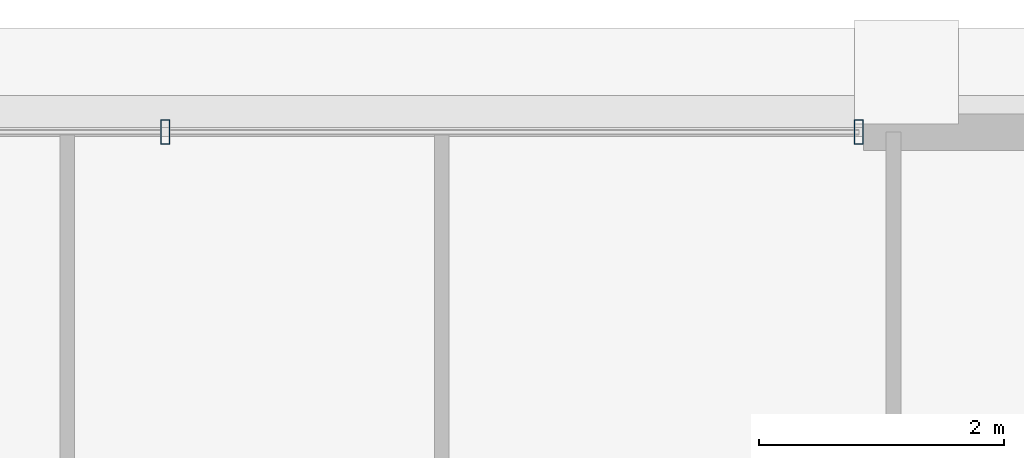
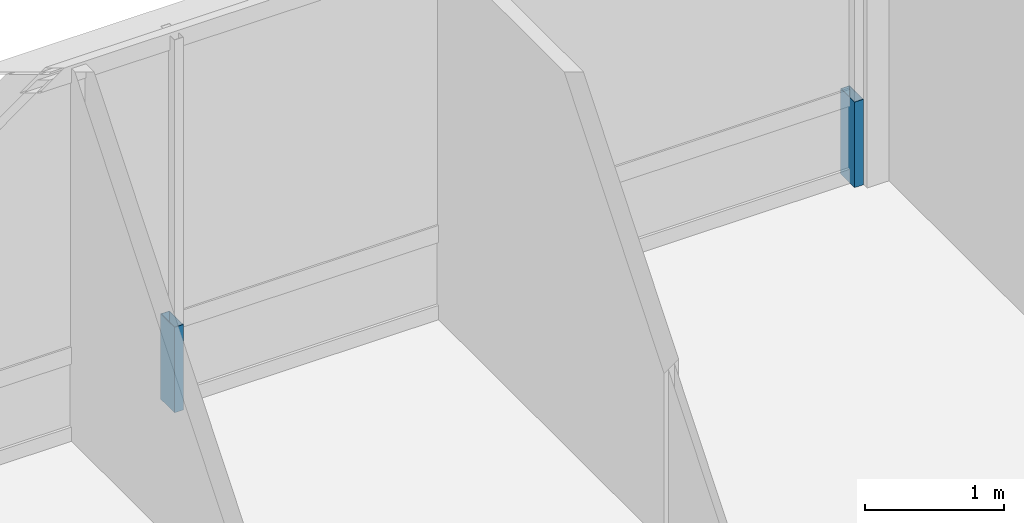
# One storey, part 28 of 35: 2 members, 1 element without a shape of its own.
"""IFC4 building model written with IfcOpenShell, lengths in metres."""

from ifc_helpers import new_model, si_unit, direction, frame, origin, origin_2d, place, context, subcontext, project, spatial, hollow_rectangle, extrude, source, transform, mapped, material, layer, layer_set, material_profile, profile_set, type_object, element, aggregate, save


model = new_model("IFC4")

# Units and contexts
model_context = context("Model", 3, precision=1e-05, world=origin(), true_north=direction((0.0, 1.0)))
body_context = subcontext(model_context, "Body", "Model", "MODEL_VIEW")
ifc_project = project(units=[si_unit("LENGTHUNIT", "METRE"), si_unit("AREAUNIT", "SQUARE_METRE"), si_unit("VOLUMEUNIT", "CUBIC_METRE"), si_unit("PLANEANGLEUNIT", "RADIAN"), si_unit("MASSUNIT", "GRAM", prefix="KILO"), si_unit("THERMODYNAMICTEMPERATUREUNIT", "KELVIN"), si_unit("POWERUNIT", "WATT")], contexts=[model_context])

# Site, building, storey
site_placement = place(None, origin())
site = spatial("IfcSite", under=ifc_project, at=site_placement, CompositionType="ELEMENT")
building_placement = place(site_placement, origin())
building = spatial("IfcBuilding", under=site, at=building_placement, Name="Yuzanri Waterfront Tower", CompositionType="ELEMENT")
storey_placement = place(building_placement, frame((0.0, 0.0, 289.10009765625)))
storey = spatial("IfcBuildingStorey", under=building, at=storey_placement, Name="L77", CompositionType="ELEMENT", Elevation=289.10009765625)

# Curtain wall, members
ifc_material_1 = material(Name="Anodized Architectural Bronze", Category="metal")
ifc_layer = layer(ifc_material_1, 0.159912109375)
ifc_layer_set = layer_set([ifc_layer], Name="Anodized Architectural Bronze")
curtain_wall_type = type_object("IfcCurtainWallType", Name="Anodized Bronze High-Rise Penthouse High-Wind Unitized Curtain Wall 6900", PredefinedType="NOTDEFINED", material=ifc_layer_set)
curtain_wall_placement = place(storey_placement, origin())
curtain_wall = element("IfcCurtainWall", 1, at=curtain_wall_placement, inside=storey, type_object=curtain_wall_type, Name="L77 Curtain Wall CW-L77-NR", PredefinedType="NOTDEFINED")
ifc_material_2 = material(Name="Anodized Architectural Bronze", Category="metal")
ifc_material_profile = material_profile(ifc_material_2, hollow_rectangle(XDim=0.074951171875, YDim=0.199951171875, WallThickness=0.00390625, at=origin_2d()), Name="CWM 75x200")
ifc_profile_set = profile_set([ifc_material_profile], Name="Anodized Architectural Bronze")
member_type = type_object("IfcMemberType", Name="Anodized Bronze Primary Curtain-Wall Mullion 75x200", PredefinedType="MULLION", material=ifc_profile_set)
shared_shape = source(origin(), body_context, "Body", "SweptSolid", [
    extrude(hollow_rectangle(XDim=0.074951171875, YDim=0.199951171875, WallThickness=0.00390625, at=origin_2d()), origin(), (0.0, 0.0, 1.0), 0.751953125),
])
member_1_placement = place(storey_placement, frame((43.050048828125, 44.75, 0.0), z_axis=(0.0, 0.0, 1.0), x_axis=(1.0, 0.0, 0.0)))
member_1 = element("IfcMember", 2, at=member_1_placement, type_object=member_type, Name="CW-L77-NR Lower Mullion 01", PredefinedType="MULLION", context=body_context, shape_type="MappedRepresentation", body=[
    mapped(shared_shape, transform((0.0, 0.0, 0.0), scale=1.0)),
])
member_2_placement = place(storey_placement, frame((48.7099609375, 44.75, 0.0), z_axis=(0.0, 0.0, 1.0), x_axis=(1.0, 0.0, 0.0)))
member_2 = element("IfcMember", 3, at=member_2_placement, type_object=member_type, Name="CW-L77-NR Lower Mullion 02", PredefinedType="MULLION", context=body_context, shape_type="MappedRepresentation", body=[
    mapped(shared_shape, transform((0.0, 0.0, 0.0), scale=1.0)),
])
aggregate(curtain_wall, [member_1, member_2])

save(model, "model.ifc")
